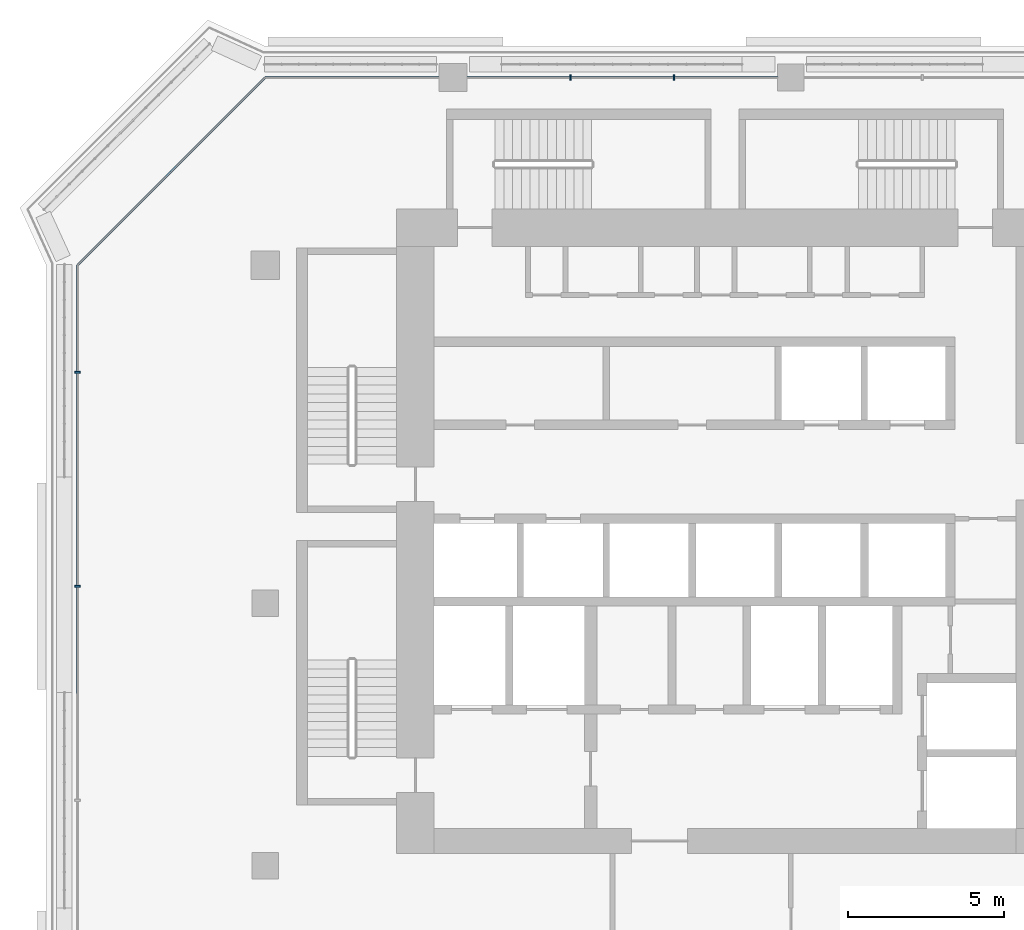
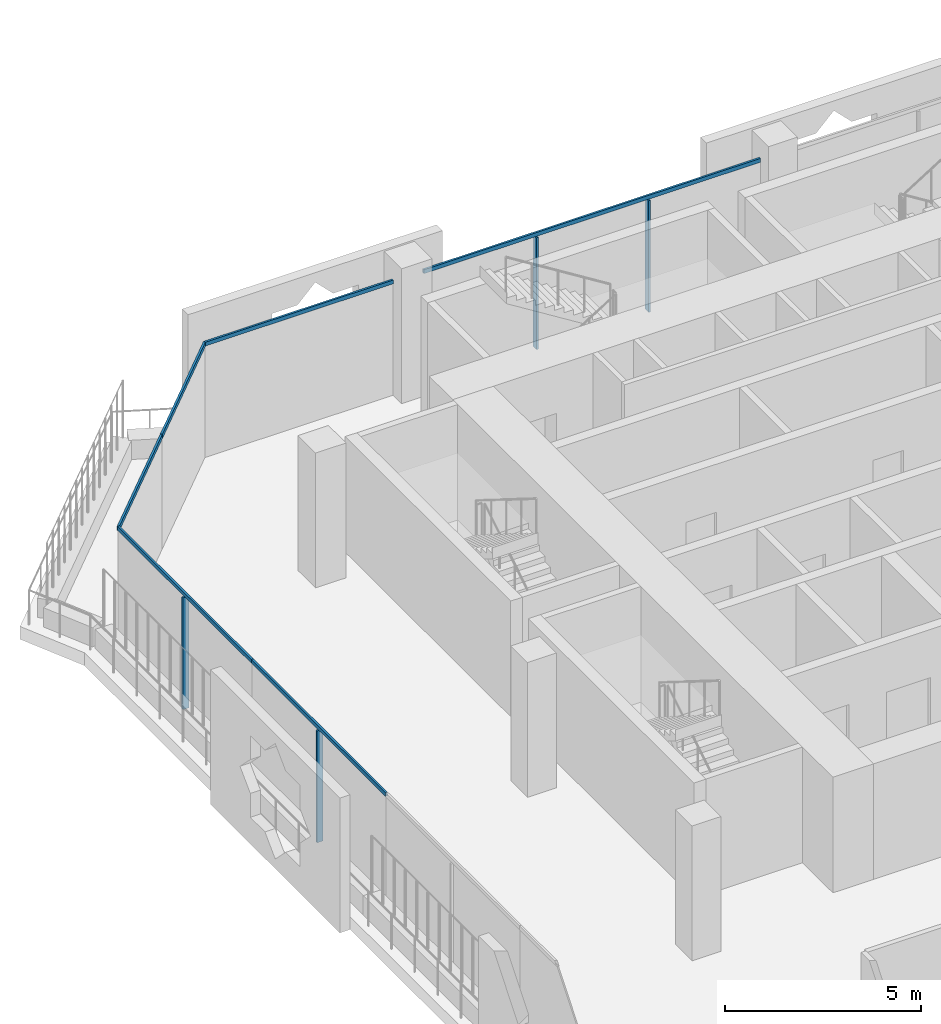
# One storey, part 6 of 24: 10 members, 3 elements without a shape of their own.
"""IFC4 building model written with IfcOpenShell, lengths in metres."""

from ifc_helpers import new_model, si_unit, direction, frame, origin, origin_2d, place, context, subcontext, project, spatial, rectangle, extrude, material, layer, layer_set, material_profile, profile_set, type_object, element, aggregate, save


model = new_model("IFC4")

# Units and contexts
model_context = context("Model", 3, precision=1e-05, world=origin(), true_north=direction((0.0, 1.0)))
body_context = subcontext(model_context, "Body", "Model", "MODEL_VIEW")
ifc_project = project(units=[si_unit("LENGTHUNIT", "METRE"), si_unit("AREAUNIT", "SQUARE_METRE"), si_unit("VOLUMEUNIT", "CUBIC_METRE"), si_unit("PLANEANGLEUNIT", "RADIAN"), si_unit("MASSUNIT", "GRAM", prefix="KILO")], contexts=[model_context])

# Site, building, storey
site_placement = place(None, origin())
site = spatial("IfcSite", under=ifc_project, at=site_placement, CompositionType="ELEMENT")
building_placement = place(site_placement, origin())
building = spatial("IfcBuilding", under=site, at=building_placement, Name="Kawkab Arch Medical Tower", CompositionType="ELEMENT")
storey_placement = place(building_placement, frame((0.0, 0.0, 218.0)))
storey = spatial("IfcBuildingStorey", under=building, at=storey_placement, Name="L50", CompositionType="ELEMENT", Elevation=218.0)

# Curtain wall, members
ifc_material_1 = material(Name="Bronze anodised aluminium curtain wall frame", Category="aluminium")
ifc_layer_1 = layer(ifc_material_1, 0.159912109375)
ifc_layer_set_1 = layer_set([ifc_layer_1], Name="Bronze anodised aluminium curtain wall frame")
curtain_wall_type_1 = type_object("IfcCurtainWallType", Name="CW1 ward curtain wall", PredefinedType="NOTDEFINED", material=ifc_layer_set_1)
placement = place(storey_placement, origin())
curtain_wall_1 = element("IfcCurtainWall", 1, at=placement, inside=storey, type_object=curtain_wall_type_1, Name="CW1 Ward curtain wall R09", PredefinedType="NOTDEFINED")
ifc_material_2 = material(Name="Bronze anodised aluminium curtain wall frame", Category="aluminium")
ifc_material_profile_1 = material_profile(ifc_material_2, rectangle(XDim=0.179931640625, YDim=0.06005859375, at=origin_2d()), Name="AL 60x180")
ifc_profile_set_1 = profile_set([ifc_material_profile_1], Name="Bronze anodised aluminium curtain wall frame")
member_type_1 = type_object("IfcMemberType", Name="CW1 mullion 60 x 180", PredefinedType="MULLION", material=ifc_profile_set_1)
member_1_placement = place(storey_placement, frame((13.066650390625, 0.0, 0.0), z_axis=(0.0, 0.0, 1.0), x_axis=(0.0, -1.0, 0.0)))
member_1 = element("IfcMember", 2, at=member_1_placement, type_object=member_type_1, Name="CW1 mullion 6.1", PredefinedType="MULLION", context=body_context, shape_type="SweptSolid", body=[
    extrude(rectangle(XDim=0.179931640625, YDim=0.06005859375, at=origin_2d()), origin(), (0.0, 0.0, 1.0), 3.47998046875),
])
member_2_placement = place(storey_placement, frame((9.75830078125, 0.0, 0.0), z_axis=(0.0, 0.0, 1.0), x_axis=(0.0, -1.0, 0.0)))
member_2 = element("IfcMember", 3, at=member_2_placement, type_object=member_type_1, Name="CW1 mullion 6.2", PredefinedType="MULLION", context=body_context, shape_type="SweptSolid", body=[
    extrude(rectangle(XDim=0.179931640625, YDim=0.06005859375, at=origin_2d()), origin(), (0.0, 0.0, 1.0), 3.47998046875),
])

curtain_wall_2 = element("IfcCurtainWall", 4, at=placement, inside=storey, type_object=curtain_wall_type_1, Name="CW1 Ward curtain wall R11", PredefinedType="NOTDEFINED")
member_3_placement = place(storey_placement, frame((-6.0, -9.419921875, 0.0), z_axis=(0.0, 0.0, 1.0), x_axis=(1.0, 0.0, 0.0)))
member_3 = element("IfcMember", 5, at=member_3_placement, type_object=member_type_1, Name="CW1 mullion 1.1", PredefinedType="MULLION", context=body_context, shape_type="SweptSolid", body=[
    extrude(rectangle(XDim=0.179931640625, YDim=0.06005859375, at=origin_2d()), origin(), (0.0, 0.0, 1.0), 3.47998046875),
])
member_4_placement = place(storey_placement, frame((-6.0, -16.260009765625, 0.0), z_axis=(0.0, 0.0, 1.0), x_axis=(1.0, 0.0, 0.0)))
member_4 = element("IfcMember", 6, at=member_4_placement, type_object=member_type_1, Name="CW1 mullion 2.1", PredefinedType="MULLION", context=body_context, shape_type="SweptSolid", body=[
    extrude(rectangle(XDim=0.179931640625, YDim=0.06005859375, at=origin_2d()), origin(), (0.0, 0.0, 1.0), 3.47998046875),
])

# Member
ifc_material_3 = material(Name="Bronze anodised aluminium curtain wall frame", Category="aluminium")
ifc_material_profile_2 = material_profile(ifc_material_3, rectangle(XDim=0.06005859375, YDim=0.1201171875, at=origin_2d()), Name="AL 60x120")
ifc_profile_set_2 = profile_set([ifc_material_profile_2], Name="Bronze anodised aluminium curtain wall frame")
member_type_2 = type_object("IfcMemberType", Name="CW1 transom 120 x 60", PredefinedType="USERDEFINED", material=ifc_profile_set_2)
member_5_placement = place(storey_placement, frame((16.375, 0.0, 3.5400390625), z_axis=(-1.0, 0.0, 0.0), x_axis=(0.0, -1.0, 0.0)))
member_5 = element("IfcMember", 7, at=member_5_placement, type_object=member_type_2, Name="CW1 transom 6", ObjectType="TRANSOM", PredefinedType="USERDEFINED", context=body_context, shape_type="SweptSolid", body=[
    extrude(rectangle(XDim=0.06005859375, YDim=0.1201171875, at=origin_2d()), origin(), (0.0, 0.0, 1.0), 9.925048828125),
])

member_6_placement = place(storey_placement, frame((5.550048828125, 0.0, 3.5400390625), z_axis=(-1.0, 0.0, 0.0), x_axis=(0.0, -1.0, 0.0)))
member_6 = element("IfcMember", 8, at=member_6_placement, type_object=member_type_2, Name="CW1 transom 7", ObjectType="TRANSOM", PredefinedType="USERDEFINED", context=body_context, shape_type="SweptSolid", body=[
    extrude(rectangle(XDim=0.06005859375, YDim=0.1201171875, at=origin_2d()), origin(), (0.0, 0.0, 1.0), 5.550048828125),
])

aggregate(curtain_wall_1, [member_5, member_1, member_2, member_6])

member_7_placement = place(storey_placement, frame((-6.0, -6.0, 3.5400390625), z_axis=(0.0, -1.0, 0.0), x_axis=(1.0, 0.0, 0.0)))
member_7 = element("IfcMember", 9, at=member_7_placement, type_object=member_type_2, Name="CW1 transom 1", ObjectType="TRANSOM", PredefinedType="USERDEFINED", context=body_context, shape_type="SweptSolid", body=[
    extrude(rectangle(XDim=0.06005859375, YDim=0.1201171875, at=origin_2d()), origin(), (0.0, 0.0, 1.0), 6.840087890625),
])

member_8_placement = place(storey_placement, frame((-6.0, -12.840087890625, 3.5400390625), z_axis=(0.0, -1.0, 0.0), x_axis=(1.0, 0.0, 0.0)))
member_8 = element("IfcMember", 10, at=member_8_placement, type_object=member_type_2, Name="CW1 transom 2", ObjectType="TRANSOM", PredefinedType="USERDEFINED", context=body_context, shape_type="SweptSolid", body=[
    extrude(rectangle(XDim=0.06005859375, YDim=0.1201171875, at=origin_2d()), origin(), (0.0, 0.0, 1.0), 6.83984375),
])

aggregate(curtain_wall_2, [member_7, member_3, member_8, member_4])

# Curtain wall, members
ifc_material_4 = material(Name="Bronze anodised aluminium curtain wall frame", Category="aluminium")
ifc_layer_2 = layer(ifc_material_4, 0.159912109375)
ifc_layer_set_2 = layer_set([ifc_layer_2], Name="Bronze anodised aluminium curtain wall frame")
curtain_wall_type_2 = type_object("IfcCurtainWallType", Name="CW2 chamfer curtain wall", PredefinedType="NOTDEFINED", material=ifc_layer_set_2)
curtain_wall_3 = element("IfcCurtainWall", 11, at=placement, inside=storey, type_object=curtain_wall_type_2, Name="CW2 Chamfer curtain wall R10", PredefinedType="NOTDEFINED")
ifc_material_5 = material(Name="Bronze anodised aluminium curtain wall frame", Category="aluminium")
ifc_material_profile_3 = material_profile(ifc_material_5, rectangle(XDim=0.06005859375, YDim=0.139892578125, at=origin_2d()), Name="AL 60x140")
ifc_profile_set_3 = profile_set([ifc_material_profile_3], Name="Bronze anodised aluminium curtain wall frame")
member_type_3 = type_object("IfcMemberType", Name="CW2 transom 140 x 60", PredefinedType="USERDEFINED", material=ifc_profile_set_3)
member_9_placement = place(storey_placement, frame((0.0, 0.0, 3.530029296875), z_axis=(-0.707106781187, -0.707106781187, 0.0), x_axis=(0.707106781187, -0.707106781187, 0.0)))
member_9 = element("IfcMember", 12, at=member_9_placement, type_object=member_type_3, Name="CW2 transom 1", ObjectType="TRANSOM", PredefinedType="USERDEFINED", context=body_context, shape_type="SweptSolid", body=[
    extrude(rectangle(XDim=0.06005859375, YDim=0.139892578125, at=origin_2d()), origin(), (0.0, 0.0, 1.0), 4.24267578125),
])
member_10_placement = place(storey_placement, frame((-3.0, -3.0, 3.530029296875), z_axis=(-0.707106781187, -0.707106781187, 0.0), x_axis=(0.707106781187, -0.707106781187, 0.0)))
member_10 = element("IfcMember", 13, at=member_10_placement, type_object=member_type_3, Name="CW2 transom 2", ObjectType="TRANSOM", PredefinedType="USERDEFINED", context=body_context, shape_type="SweptSolid", body=[
    extrude(rectangle(XDim=0.06005859375, YDim=0.139892578125, at=origin_2d()), origin(), (0.0, 0.0, 1.0), 4.24267578125),
])
aggregate(curtain_wall_3, [member_9, member_10])

save(model, "model.ifc")
